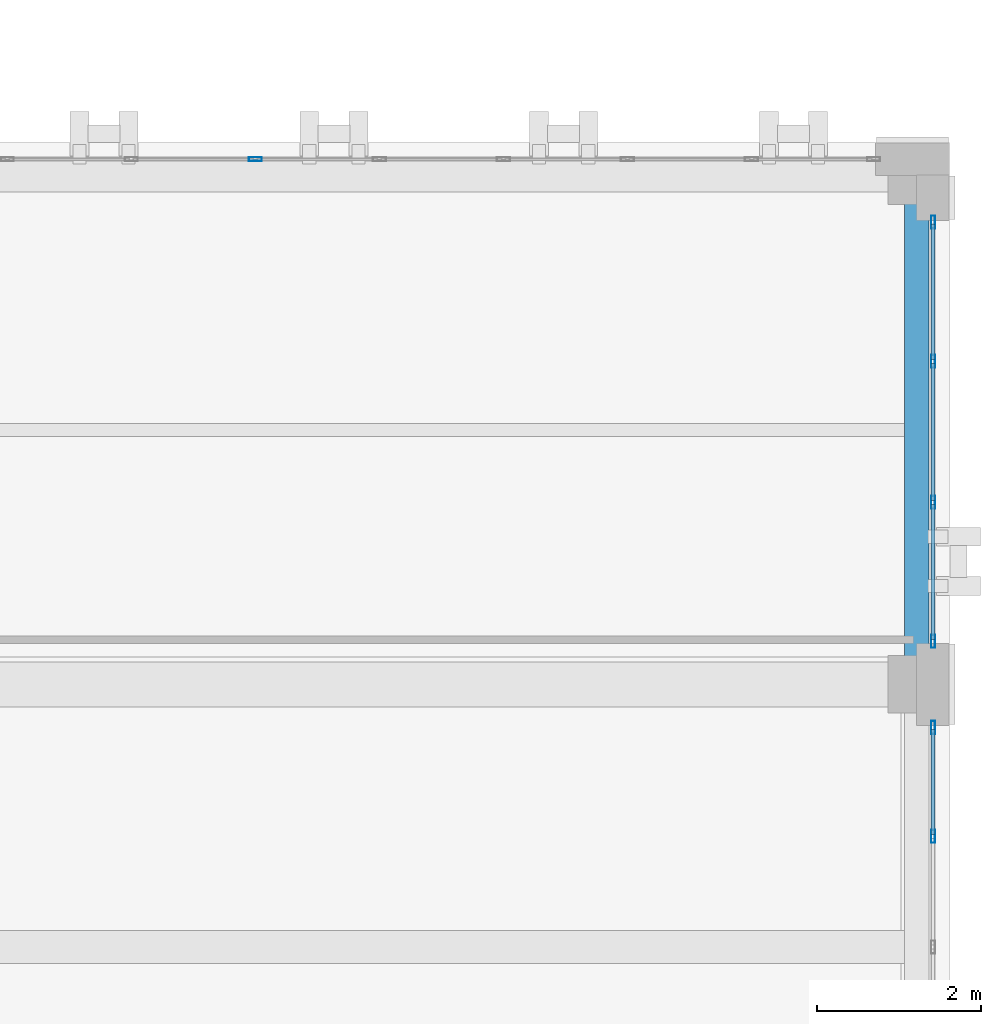
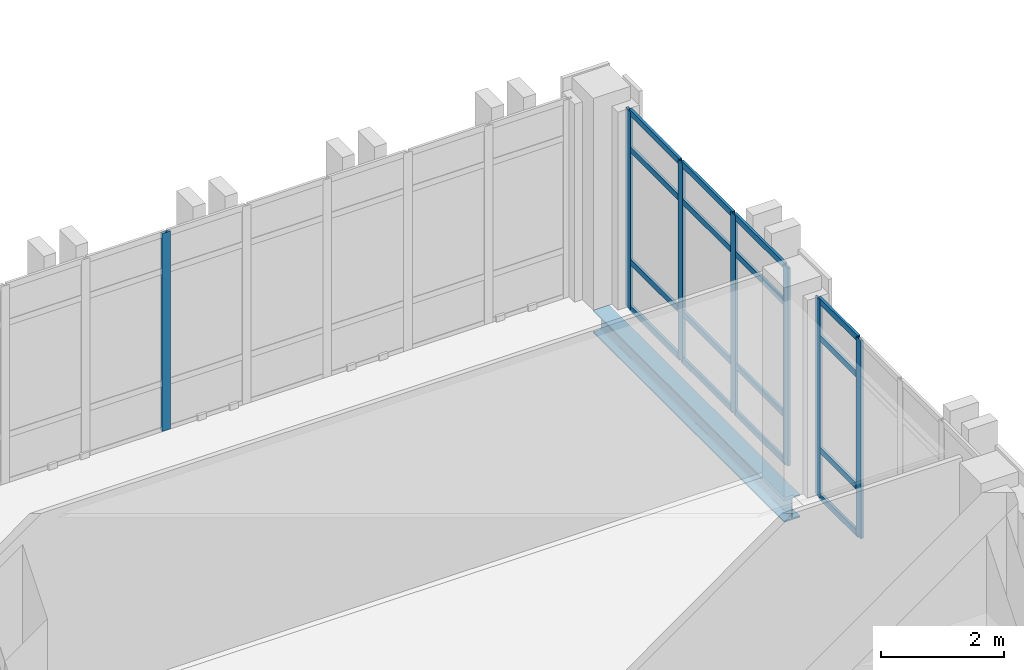
# One storey, part 106 of 158: 23 members, 1 beam, 3 elements without a shape of their own.
"""IFC4 building model written with IfcOpenShell, lengths in metres."""

from ifc_helpers import new_model, si_unit, direction, frame, origin, origin_2d, place, context, subcontext, project, spatial, hollow_rectangle, i_section, extrude, material, layer, layer_set, material_profile, profile_set, type_object, element, aggregate, save


model = new_model("IFC4")

# Units and contexts
model_context = context("Model", 3, precision=1e-05, world=origin(), true_north=direction((0.0, 1.0)))
body_context = subcontext(model_context, "Body", "Model", "MODEL_VIEW")
ifc_project = project(units=[si_unit("LENGTHUNIT", "METRE"), si_unit("AREAUNIT", "SQUARE_METRE"), si_unit("VOLUMEUNIT", "CUBIC_METRE"), si_unit("PLANEANGLEUNIT", "RADIAN"), si_unit("MASSUNIT", "GRAM", prefix="KILO")], contexts=[model_context])

# Site, building, storey
site_placement = place(None, origin())
site = spatial("IfcSite", under=ifc_project, at=site_placement, CompositionType="ELEMENT")
building_placement = place(site_placement, origin())
building = spatial("IfcBuilding", under=site, at=building_placement, Name="Qalavern Law Courts", CompositionType="ELEMENT")
storey_placement = place(building_placement, frame((0.0, 0.0, 18.60009765625)))
storey = spatial("IfcBuildingStorey", under=building, at=storey_placement, Name="L04", CompositionType="ELEMENT", Elevation=18.60009765625)

# Curtain wall, members
ifc_material_1 = material(Name="Anodised aluminium and insulated glazing", Category="aluminium")
ifc_layer = layer(ifc_material_1, 0.159912109375)
ifc_layer_set = layer_set([ifc_layer], Name="Anodised aluminium and insulated glazing")
curtain_wall_type = type_object("IfcCurtainWallType", Name="ENV-CW-CHAMB", PredefinedType="USERDEFINED", material=ifc_layer_set)
curtain_wall_1_placement = place(storey_placement, origin())
curtain_wall_1 = element("IfcCurtainWall", 1, at=curtain_wall_1_placement, inside=storey, type_object=curtain_wall_type, Name="V4 unitised curtain wall L04 east 4", ObjectType="UNITISED CURTAIN WALL", PredefinedType="USERDEFINED")
ifc_material_2 = material(Name="Anodised aluminium", Category="aluminium")
ifc_material_profile_1 = material_profile(ifc_material_2, hollow_rectangle(XDim=0.048095703125, YDim=0.159912109375, WallThickness=0.00390625, at=origin_2d()), Name="ALU MULLION 48x160")
ifc_profile_set_1 = profile_set([ifc_material_profile_1], Name="Anodised aluminium")
member_type_1 = type_object("IfcMemberType", Name="ENV-CWM-48x160", PredefinedType="MULLION", material=ifc_profile_set_1)
member_1_placement = place(storey_placement, frame((106.60009765625, 77.35009765625, 0.0), z_axis=(0.0, 0.0, 1.0), x_axis=(-1.0, 0.0, 0.0)))
member_1 = element("IfcMember", 2, at=member_1_placement, type_object=member_type_1, Name="CW-04 mullion 4", PredefinedType="MULLION", context=body_context, shape_type="SweptSolid", body=[
    extrude(hollow_rectangle(XDim=0.048095703125, YDim=0.159912109375, WallThickness=0.00390625, at=origin_2d()), origin(), (0.0, 0.0, 1.0), 3.9248046875),
])
member_2_placement = place(storey_placement, frame((106.60009765625, 78.676025390625, 0.0), z_axis=(0.0, 0.0, 1.0), x_axis=(-1.0, 0.0, 0.0)))
member_2 = element("IfcMember", 3, at=member_2_placement, type_object=member_type_1, Name="CW-04 mullion 5", PredefinedType="MULLION", context=body_context, shape_type="SweptSolid", body=[
    extrude(hollow_rectangle(XDim=0.048095703125, YDim=0.159912109375, WallThickness=0.00390625, at=origin_2d()), origin(), (0.0, 0.0, 1.0), 3.9248046875),
])

curtain_wall_2_placement = place(storey_placement, origin())
curtain_wall_2 = element("IfcCurtainWall", 4, at=curtain_wall_2_placement, inside=storey, type_object=curtain_wall_type, Name="V4 unitised curtain wall L04 east 5", ObjectType="UNITISED CURTAIN WALL", PredefinedType="USERDEFINED")
member_3_placement = place(storey_placement, frame((106.60009765625, 79.72412109375, 0.0), z_axis=(0.0, 0.0, 1.0), x_axis=(-1.0, 0.0, 0.0)))
member_3 = element("IfcMember", 5, at=member_3_placement, type_object=member_type_1, Name="CW-04 mullion 1", PredefinedType="MULLION", context=body_context, shape_type="SweptSolid", body=[
    extrude(hollow_rectangle(XDim=0.048095703125, YDim=0.159912109375, WallThickness=0.00390625, at=origin_2d()), origin(), (0.0, 0.0, 1.0), 3.9248046875),
])
member_4_placement = place(storey_placement, frame((106.60009765625, 81.418212890625, 0.0), z_axis=(0.0, 0.0, 1.0), x_axis=(-1.0, 0.0, 0.0)))
member_4 = element("IfcMember", 6, at=member_4_placement, type_object=member_type_1, Name="CW-04 mullion 2", PredefinedType="MULLION", context=body_context, shape_type="SweptSolid", body=[
    extrude(hollow_rectangle(XDim=0.048095703125, YDim=0.159912109375, WallThickness=0.00390625, at=origin_2d()), origin(), (0.0, 0.0, 1.0), 3.9248046875),
])
member_5_placement = place(storey_placement, frame((106.60009765625, 83.13671875, 0.0), z_axis=(0.0, 0.0, 1.0), x_axis=(-1.0, 0.0, 0.0)))
member_5 = element("IfcMember", 7, at=member_5_placement, type_object=member_type_1, Name="CW-04 mullion 3", PredefinedType="MULLION", context=body_context, shape_type="SweptSolid", body=[
    extrude(hollow_rectangle(XDim=0.048095703125, YDim=0.159912109375, WallThickness=0.00390625, at=origin_2d()), origin(), (0.0, 0.0, 1.0), 3.9248046875),
])
member_6_placement = place(storey_placement, frame((106.60009765625, 84.8310546875, 0.0), z_axis=(0.0, 0.0, 1.0), x_axis=(-1.0, 0.0, 0.0)))
member_6 = element("IfcMember", 8, at=member_6_placement, type_object=member_type_1, Name="CW-04 mullion 4", PredefinedType="MULLION", context=body_context, shape_type="SweptSolid", body=[
    extrude(hollow_rectangle(XDim=0.048095703125, YDim=0.159912109375, WallThickness=0.00390625, at=origin_2d()), origin(), (0.0, 0.0, 1.0), 3.9248046875),
])

# Curtain wall, member
curtain_wall_3_placement = place(storey_placement, origin())
curtain_wall_3 = element("IfcCurtainWall", 9, at=curtain_wall_3_placement, inside=storey, type_object=curtain_wall_type, Name="V4 unitised curtain wall L04 north 1", ObjectType="UNITISED CURTAIN WALL", PredefinedType="USERDEFINED")
member_7_placement = place(storey_placement, frame((98.344482421875, 85.60009765625, 0.0), z_axis=(0.0, 0.0, 1.0), x_axis=(0.0, -1.0, 0.0)))
member_7 = element("IfcMember", 10, at=member_7_placement, type_object=member_type_1, Name="CW-04 mullion 6", PredefinedType="MULLION", context=body_context, shape_type="SweptSolid", body=[
    extrude(hollow_rectangle(XDim=0.048095703125, YDim=0.159912109375, WallThickness=0.00390625, at=origin_2d()), origin(), (0.0, 0.0, 1.0), 3.9248046875),
])
aggregate(curtain_wall_3, [member_7])

# Member
ifc_material_profile_2 = material_profile(ifc_material_2, hollow_rectangle(XDim=0.048095703125, YDim=0.1201171875, WallThickness=0.00390625, at=origin_2d()), Name="ALU TRANSOM 48x120")
ifc_profile_set_2 = profile_set([ifc_material_profile_2], Name="Anodised aluminium")
member_type_2 = type_object("IfcMemberType", Name="ENV-CWT-48x120", PredefinedType="USERDEFINED", material=ifc_profile_set_2)
member_8_placement = place(storey_placement, frame((106.60009765625, 77.3740234375, 0.02392578125), z_axis=(0.0, 1.0, 0.0), x_axis=(-1.0, 0.0, 0.0)))
member_8 = element("IfcMember", 11, at=member_8_placement, type_object=member_type_2, Name="CW-04 transom 4.1", ObjectType="TRANSOM", PredefinedType="USERDEFINED", context=body_context, shape_type="SweptSolid", body=[
    extrude(hollow_rectangle(XDim=0.048095703125, YDim=0.1201171875, WallThickness=0.00390625, at=origin_2d()), origin(), (0.0, 0.0, 1.0), 1.278076171875),
])

member_9_placement = place(storey_placement, frame((106.60009765625, 77.3740234375, 0.949951171875), z_axis=(0.0, 1.0, 0.0), x_axis=(-1.0, 0.0, 0.0)))
member_9 = element("IfcMember", 12, at=member_9_placement, type_object=member_type_2, Name="CW-04 transom 4.2", ObjectType="TRANSOM", PredefinedType="USERDEFINED", context=body_context, shape_type="SweptSolid", body=[
    extrude(hollow_rectangle(XDim=0.048095703125, YDim=0.1201171875, WallThickness=0.00390625, at=origin_2d()), origin(), (0.0, 0.0, 1.0), 1.278076171875),
])

member_10_placement = place(storey_placement, frame((106.60009765625, 77.3740234375, 3.1748046875), z_axis=(0.0, 1.0, 0.0), x_axis=(-1.0, 0.0, 0.0)))
member_10 = element("IfcMember", 13, at=member_10_placement, type_object=member_type_2, Name="CW-04 transom 4.3", ObjectType="TRANSOM", PredefinedType="USERDEFINED", context=body_context, shape_type="SweptSolid", body=[
    extrude(hollow_rectangle(XDim=0.048095703125, YDim=0.1201171875, WallThickness=0.00390625, at=origin_2d()), origin(), (0.0, 0.0, 1.0), 1.278076171875),
])

member_11_placement = place(storey_placement, frame((106.60009765625, 77.3740234375, 3.90087890625), z_axis=(0.0, 1.0, 0.0), x_axis=(-1.0, 0.0, 0.0)))
member_11 = element("IfcMember", 14, at=member_11_placement, type_object=member_type_2, Name="CW-04 transom 4.4", ObjectType="TRANSOM", PredefinedType="USERDEFINED", context=body_context, shape_type="SweptSolid", body=[
    extrude(hollow_rectangle(XDim=0.048095703125, YDim=0.1201171875, WallThickness=0.00390625, at=origin_2d()), origin(), (0.0, 0.0, 1.0), 1.278076171875),
])

aggregate(curtain_wall_1, [member_1, member_2, member_8, member_9, member_10, member_11])

member_12_placement = place(storey_placement, frame((106.60009765625, 79.748046875, 0.02392578125), z_axis=(0.0, 1.0, 0.0), x_axis=(-1.0, 0.0, 0.0)))
member_12 = element("IfcMember", 15, at=member_12_placement, type_object=member_type_2, Name="CW-04 transom 1.1", ObjectType="TRANSOM", PredefinedType="USERDEFINED", context=body_context, shape_type="SweptSolid", body=[
    extrude(hollow_rectangle(XDim=0.048095703125, YDim=0.1201171875, WallThickness=0.00390625, at=origin_2d()), origin(), (0.0, 0.0, 1.0), 1.646240234375),
])

member_13_placement = place(storey_placement, frame((106.60009765625, 79.748046875, 0.949951171875), z_axis=(0.0, 1.0, 0.0), x_axis=(-1.0, 0.0, 0.0)))
member_13 = element("IfcMember", 16, at=member_13_placement, type_object=member_type_2, Name="CW-04 transom 1.2", ObjectType="TRANSOM", PredefinedType="USERDEFINED", context=body_context, shape_type="SweptSolid", body=[
    extrude(hollow_rectangle(XDim=0.048095703125, YDim=0.1201171875, WallThickness=0.00390625, at=origin_2d()), origin(), (0.0, 0.0, 1.0), 1.646240234375),
])

member_14_placement = place(storey_placement, frame((106.60009765625, 79.748046875, 3.1748046875), z_axis=(0.0, 1.0, 0.0), x_axis=(-1.0, 0.0, 0.0)))
member_14 = element("IfcMember", 17, at=member_14_placement, type_object=member_type_2, Name="CW-04 transom 1.3", ObjectType="TRANSOM", PredefinedType="USERDEFINED", context=body_context, shape_type="SweptSolid", body=[
    extrude(hollow_rectangle(XDim=0.048095703125, YDim=0.1201171875, WallThickness=0.00390625, at=origin_2d()), origin(), (0.0, 0.0, 1.0), 1.646240234375),
])

member_15_placement = place(storey_placement, frame((106.60009765625, 79.748046875, 3.90087890625), z_axis=(0.0, 1.0, 0.0), x_axis=(-1.0, 0.0, 0.0)))
member_15 = element("IfcMember", 18, at=member_15_placement, type_object=member_type_2, Name="CW-04 transom 1.4", ObjectType="TRANSOM", PredefinedType="USERDEFINED", context=body_context, shape_type="SweptSolid", body=[
    extrude(hollow_rectangle(XDim=0.048095703125, YDim=0.1201171875, WallThickness=0.00390625, at=origin_2d()), origin(), (0.0, 0.0, 1.0), 1.646240234375),
])

member_16_placement = place(storey_placement, frame((106.60009765625, 81.4423828125, 0.02392578125), z_axis=(0.0, 1.0, 0.0), x_axis=(-1.0, 0.0, 0.0)))
member_16 = element("IfcMember", 19, at=member_16_placement, type_object=member_type_2, Name="CW-04 transom 2.1", ObjectType="TRANSOM", PredefinedType="USERDEFINED", context=body_context, shape_type="SweptSolid", body=[
    extrude(hollow_rectangle(XDim=0.048095703125, YDim=0.1201171875, WallThickness=0.00390625, at=origin_2d()), origin(), (0.0, 0.0, 1.0), 1.670166015625),
])

member_17_placement = place(storey_placement, frame((106.60009765625, 81.4423828125, 0.949951171875), z_axis=(0.0, 1.0, 0.0), x_axis=(-1.0, 0.0, 0.0)))
member_17 = element("IfcMember", 20, at=member_17_placement, type_object=member_type_2, Name="CW-04 transom 2.2", ObjectType="TRANSOM", PredefinedType="USERDEFINED", context=body_context, shape_type="SweptSolid", body=[
    extrude(hollow_rectangle(XDim=0.048095703125, YDim=0.1201171875, WallThickness=0.00390625, at=origin_2d()), origin(), (0.0, 0.0, 1.0), 1.670166015625),
])

member_18_placement = place(storey_placement, frame((106.60009765625, 81.4423828125, 3.1748046875), z_axis=(0.0, 1.0, 0.0), x_axis=(-1.0, 0.0, 0.0)))
member_18 = element("IfcMember", 21, at=member_18_placement, type_object=member_type_2, Name="CW-04 transom 2.3", ObjectType="TRANSOM", PredefinedType="USERDEFINED", context=body_context, shape_type="SweptSolid", body=[
    extrude(hollow_rectangle(XDim=0.048095703125, YDim=0.1201171875, WallThickness=0.00390625, at=origin_2d()), origin(), (0.0, 0.0, 1.0), 1.670166015625),
])

member_19_placement = place(storey_placement, frame((106.60009765625, 81.4423828125, 3.90087890625), z_axis=(0.0, 1.0, 0.0), x_axis=(-1.0, 0.0, 0.0)))
member_19 = element("IfcMember", 22, at=member_19_placement, type_object=member_type_2, Name="CW-04 transom 2.4", ObjectType="TRANSOM", PredefinedType="USERDEFINED", context=body_context, shape_type="SweptSolid", body=[
    extrude(hollow_rectangle(XDim=0.048095703125, YDim=0.1201171875, WallThickness=0.00390625, at=origin_2d()), origin(), (0.0, 0.0, 1.0), 1.670166015625),
])

member_20_placement = place(storey_placement, frame((106.60009765625, 83.16064453125, 0.02392578125), z_axis=(0.0, 1.0, 0.0), x_axis=(-1.0, 0.0, 0.0)))
member_20 = element("IfcMember", 23, at=member_20_placement, type_object=member_type_2, Name="CW-04 transom 3.1", ObjectType="TRANSOM", PredefinedType="USERDEFINED", context=body_context, shape_type="SweptSolid", body=[
    extrude(hollow_rectangle(XDim=0.048095703125, YDim=0.1201171875, WallThickness=0.00390625, at=origin_2d()), origin(), (0.0, 0.0, 1.0), 1.646240234375),
])

member_21_placement = place(storey_placement, frame((106.60009765625, 83.16064453125, 0.949951171875), z_axis=(0.0, 1.0, 0.0), x_axis=(-1.0, 0.0, 0.0)))
member_21 = element("IfcMember", 24, at=member_21_placement, type_object=member_type_2, Name="CW-04 transom 3.2", ObjectType="TRANSOM", PredefinedType="USERDEFINED", context=body_context, shape_type="SweptSolid", body=[
    extrude(hollow_rectangle(XDim=0.048095703125, YDim=0.1201171875, WallThickness=0.00390625, at=origin_2d()), origin(), (0.0, 0.0, 1.0), 1.646240234375),
])

member_22_placement = place(storey_placement, frame((106.60009765625, 83.16064453125, 3.1748046875), z_axis=(0.0, 1.0, 0.0), x_axis=(-1.0, 0.0, 0.0)))
member_22 = element("IfcMember", 25, at=member_22_placement, type_object=member_type_2, Name="CW-04 transom 3.3", ObjectType="TRANSOM", PredefinedType="USERDEFINED", context=body_context, shape_type="SweptSolid", body=[
    extrude(hollow_rectangle(XDim=0.048095703125, YDim=0.1201171875, WallThickness=0.00390625, at=origin_2d()), origin(), (0.0, 0.0, 1.0), 1.646240234375),
])

member_23_placement = place(storey_placement, frame((106.60009765625, 83.16064453125, 3.90087890625), z_axis=(0.0, 1.0, 0.0), x_axis=(-1.0, 0.0, 0.0)))
member_23 = element("IfcMember", 26, at=member_23_placement, type_object=member_type_2, Name="CW-04 transom 3.4", ObjectType="TRANSOM", PredefinedType="USERDEFINED", context=body_context, shape_type="SweptSolid", body=[
    extrude(hollow_rectangle(XDim=0.048095703125, YDim=0.1201171875, WallThickness=0.00390625, at=origin_2d()), origin(), (0.0, 0.0, 1.0), 1.646240234375),
])

aggregate(curtain_wall_2, [member_3, member_4, member_5, member_6, member_12, member_13, member_14, member_15, member_16, member_17, member_18, member_19, member_20, member_21, member_22, member_23])

# Beam
ifc_material_3 = material(Name="Steel S355", Category="steel")
ifc_material_profile_3 = material_profile(ifc_material_3, i_section(OverallWidth=0.300048828125, OverallDepth=0.449951171875, WebThickness=0.013916015625, FlangeThickness=0.02587890625, FilletRadius=0.027099609375, at=origin_2d()), Name="HEB 450")
ifc_profile_set_3 = profile_set([ifc_material_profile_3], Name="Steel S355")
beam_type = type_object("IfcBeamType", Name="STR-SP-HEB450", PredefinedType="SPANDREL", material=ifc_profile_set_3)
beam_placement = place(storey_placement, frame((106.39990234375, 79.199951171875, -0.505126953125), z_axis=(0.0, 1.0, 0.0), x_axis=(-1.0, 0.0, 0.0)))
element("IfcBeam", 27, at=beam_placement, inside=storey, type_object=beam_type, Name="V4 Y-beam 3-6 L04", PredefinedType="SPANDREL", context=body_context, shape_type="SweptSolid", body=[
    extrude(i_section(OverallWidth=0.300048828125, OverallDepth=0.449951171875, WebThickness=0.013916015625, FlangeThickness=0.02587890625, FilletRadius=0.027099609375, at=origin_2d()), origin(), (0.0, 0.0, 1.0), 6.199951171875),
])

save(model, "model.ifc")
